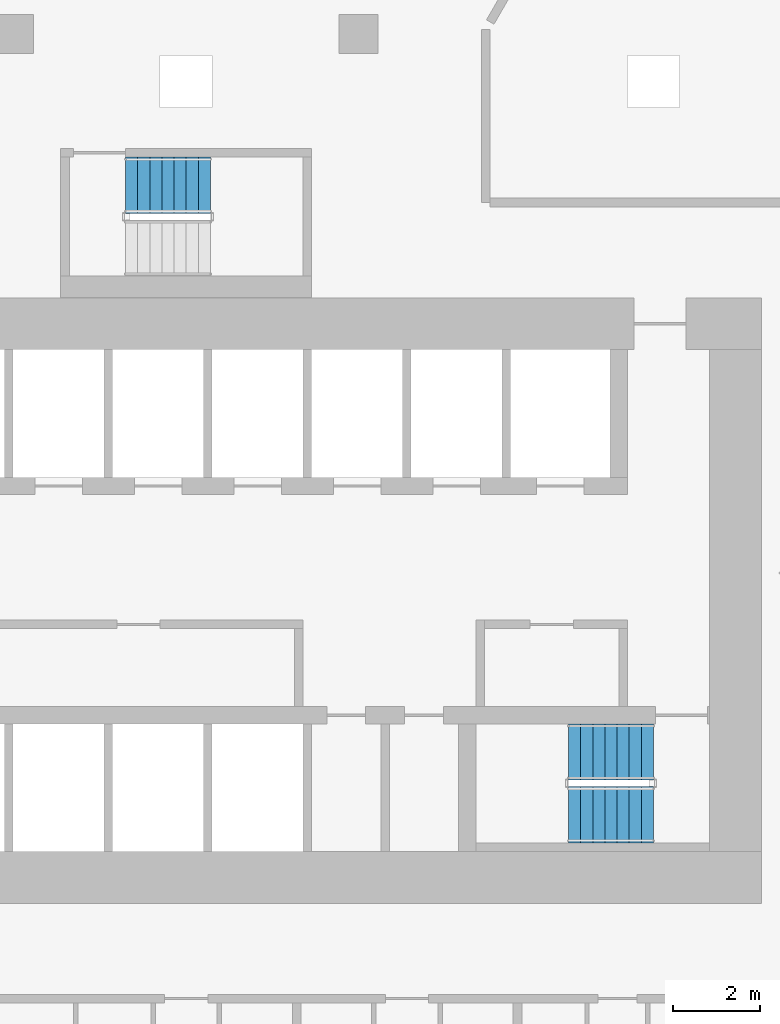
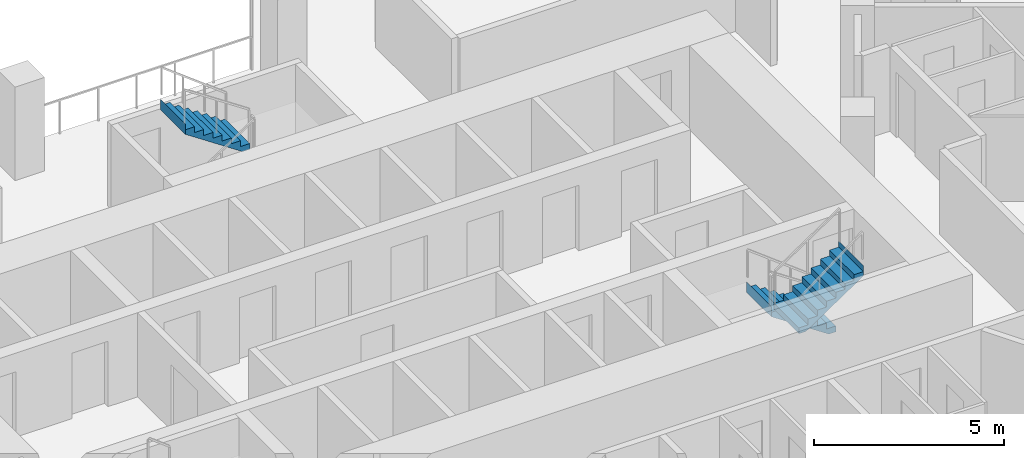
# One storey, part 17 of 21: 3 stair flights, 2 elements without a shape of their own.
"""IFC4 building model written with IfcOpenShell, lengths in metres."""

from ifc_helpers import new_model, si_unit, direction, frame, origin, place, context, subcontext, project, spatial, triangles, material, type_object, element, aggregate, save


model = new_model("IFC4")

# Units and contexts
model_context = context("Model", 3, precision=1e-05, world=origin(), true_north=direction((0.0, 1.0)))
body_context = subcontext(model_context, "Body", "Model", "MODEL_VIEW")
ifc_project = project(units=[si_unit("LENGTHUNIT", "METRE"), si_unit("AREAUNIT", "SQUARE_METRE"), si_unit("VOLUMEUNIT", "CUBIC_METRE"), si_unit("PLANEANGLEUNIT", "RADIAN"), si_unit("MASSUNIT", "GRAM", prefix="KILO")], contexts=[model_context])

# Site, building, storey
site_placement = place(None, origin())
site = spatial("IfcSite", under=ifc_project, at=site_placement, CompositionType="ELEMENT")
building_placement = place(site_placement, origin())
building = spatial("IfcBuilding", under=site, at=building_placement, Name="Beryl Residences", CompositionType="ELEMENT")
storey_placement = place(building_placement, frame((0.0, 0.0, 23.39990234375)))
storey = spatial("IfcBuildingStorey", under=building, at=storey_placement, Name="L06", CompositionType="ELEMENT", Elevation=23.39990234375)

# Stair, stair flights
ifc_material_1 = material(Name="Concrete C40/50", Category="concrete")
stair_type = type_object("IfcStairType", Name="ST1 protected exit stair, half-turn, 1300 mm flights", PredefinedType="HALF_TURN_STAIR", material=ifc_material_1)
stair_1_placement = place(storey_placement, origin())
stair_1 = element("IfcStair", 1, at=stair_1_placement, inside=storey, type_object=stair_type, Name="L06 PROTECTED EXIT STAIR ST-3", PredefinedType="HALF_TURN_STAIR")
ifc_material_2 = material(Name="Concrete C40/50", Category="concrete")
stair_flight_type = type_object("IfcStairFlightType", Name="SF1 stair flight 1300 mm", PredefinedType="STRAIGHT", material=ifc_material_2)
stair_flight_1_placement = place(storey_placement, frame((10.800048828125, -15.5, 0.0), z_axis=(0.0, 0.0, 1.0), x_axis=(-1.0, 0.0, 0.0)))
stair_flight_1 = element("IfcStairFlight", 2, at=stair_flight_1_placement, type_object=stair_flight_type, Name="ST-3 flight 1", NumberOfRisers=8, NumberOfTreads=7, PredefinedType="STRAIGHT", RiserHeight=0.1875, TreadLength=0.28, context=body_context, shape_type="Tessellation", body=[
    triangles([(0.0, -0.64990234375, 0.0), (0.0, -0.324951171875, 0.0), (0.0, 0.0, 0.0), (0.0, 0.324951171875, 0.0), (0.0, 0.64990234375, 0.0), (0.0, -0.64990234375, 0.1875), (0.0, -0.324951171875, 0.1875), (0.0, 0.0, 0.1875), (0.0, 0.324951171875, 0.1875), (0.0, 0.64990234375, 0.1875), (0.280029296875, -0.64990234375, 0.1875), (0.280029296875, -0.324951171875, 0.1875), (0.280029296875, 0.0, 0.1875), (0.280029296875, 0.324951171875, 0.1875), (0.280029296875, 0.64990234375, 0.1875), (0.280029296875, -0.64990234375, 0.375), (0.280029296875, -0.324951171875, 0.375), (0.280029296875, 0.0, 0.375), (0.280029296875, 0.324951171875, 0.375), (0.280029296875, 0.64990234375, 0.375), (0.56005859375, -0.64990234375, 0.375), (0.56005859375, -0.324951171875, 0.375), (0.56005859375, 0.0, 0.375), (0.56005859375, 0.324951171875, 0.375), (0.56005859375, 0.64990234375, 0.375), (0.56005859375, -0.64990234375, 0.5625), (0.56005859375, -0.324951171875, 0.5625), (0.56005859375, 0.0, 0.5625), (0.56005859375, 0.324951171875, 0.5625), (0.56005859375, 0.64990234375, 0.5625), (0.840087890625, -0.64990234375, 0.5625), (0.840087890625, -0.324951171875, 0.5625), (0.840087890625, 0.0, 0.5625), (0.840087890625, 0.324951171875, 0.5625), (0.840087890625, 0.64990234375, 0.5625), (0.840087890625, -0.64990234375, 0.75), (0.840087890625, -0.324951171875, 0.75), (0.840087890625, 0.0, 0.75), (0.840087890625, 0.324951171875, 0.75), (0.840087890625, 0.64990234375, 0.75), (1.1201171875, -0.64990234375, 0.75), (1.1201171875, -0.324951171875, 0.75), (1.1201171875, 0.0, 0.75), (1.1201171875, 0.324951171875, 0.75), (1.1201171875, 0.64990234375, 0.75), (1.1201171875, -0.64990234375, 0.9375), (1.1201171875, -0.324951171875, 0.9375), (1.1201171875, 0.0, 0.9375), (1.1201171875, 0.324951171875, 0.9375), (1.1201171875, 0.64990234375, 0.9375), (1.39990234375, -0.64990234375, 0.9375), (1.39990234375, -0.324951171875, 0.9375), (1.39990234375, 0.0, 0.9375), (1.39990234375, 0.324951171875, 0.9375), (1.39990234375, 0.64990234375, 0.9375), (1.39990234375, -0.64990234375, 1.125), (1.39990234375, -0.324951171875, 1.125), (1.39990234375, 0.0, 1.125), (1.39990234375, 0.324951171875, 1.125), (1.39990234375, 0.64990234375, 1.125), (1.679931640625, -0.64990234375, 1.125), (1.679931640625, -0.324951171875, 1.125), (1.679931640625, 0.0, 1.125), (1.679931640625, 0.324951171875, 1.125), (1.679931640625, 0.64990234375, 1.125), (1.679931640625, -0.64990234375, 1.3125), (1.679931640625, -0.324951171875, 1.3125), (1.679931640625, 0.0, 1.3125), (1.679931640625, 0.324951171875, 1.3125), (1.679931640625, 0.64990234375, 1.3125), (1.9599609375, -0.64990234375, 1.3125), (1.9599609375, -0.324951171875, 1.3125), (1.9599609375, 0.0, 1.3125), (1.9599609375, 0.324951171875, 1.3125), (1.9599609375, 0.64990234375, 1.3125), (1.9599609375, -0.64990234375, 1.5), (1.9599609375, -0.324951171875, 1.5), (1.9599609375, 0.0, 1.5), (1.9599609375, 0.324951171875, 1.5), (1.9599609375, 0.64990234375, 1.5), (1.9609375, -0.64990234375, 1.5), (1.9609375, -0.324951171875, 1.5), (1.9609375, 0.0, 1.5), (1.9609375, 0.324951171875, 1.5), (1.9609375, 0.64990234375, 1.5), (1.9609375, -0.64990234375, 1.16796875), (1.9609375, -0.324951171875, 1.16796875), (1.9609375, 0.0, 1.16796875), (1.9609375, 0.324951171875, 1.16796875), (1.9609375, 0.64990234375, 1.16796875), (0.216796875, -0.64990234375, 0.0), (0.216796875, -0.324951171875, 0.0), (0.216796875, 0.0, 0.0), (0.216796875, 0.324951171875, 0.0), (0.216796875, 0.64990234375, 0.0)], [[1, 6, 7], [1, 7, 2], [2, 7, 8], [2, 8, 3], [3, 8, 9], [3, 9, 4], [4, 9, 10], [4, 10, 5], [6, 11, 12], [6, 12, 7], [7, 12, 13], [7, 13, 8], [8, 13, 14], [8, 14, 9], [9, 14, 15], [9, 15, 10], [11, 16, 17], [11, 17, 12], [12, 17, 18], [12, 18, 13], [13, 18, 19], [13, 19, 14], [14, 19, 20], [14, 20, 15], [16, 21, 22], [16, 22, 17], [17, 22, 23], [17, 23, 18], [18, 23, 24], [18, 24, 19], [19, 24, 25], [19, 25, 20], [21, 26, 27], [21, 27, 22], [22, 27, 28], [22, 28, 23], [23, 28, 29], [23, 29, 24], [24, 29, 30], [24, 30, 25], [26, 31, 32], [26, 32, 27], [27, 32, 33], [27, 33, 28], [28, 33, 34], [28, 34, 29], [29, 34, 35], [29, 35, 30], [31, 36, 37], [31, 37, 32], [32, 37, 38], [32, 38, 33], [33, 38, 39], [33, 39, 34], [34, 39, 40], [34, 40, 35], [36, 41, 42], [36, 42, 37], [37, 42, 43], [37, 43, 38], [38, 43, 44], [38, 44, 39], [39, 44, 45], [39, 45, 40], [41, 46, 47], [41, 47, 42], [42, 47, 48], [42, 48, 43], [43, 48, 49], [43, 49, 44], [44, 49, 50], [44, 50, 45], [46, 51, 52], [46, 52, 47], [47, 52, 53], [47, 53, 48], [48, 53, 54], [48, 54, 49], [49, 54, 55], [49, 55, 50], [51, 56, 57], [51, 57, 52], [52, 57, 58], [52, 58, 53], [53, 58, 59], [53, 59, 54], [54, 59, 60], [54, 60, 55], [56, 61, 62], [56, 62, 57], [57, 62, 63], [57, 63, 58], [58, 63, 64], [58, 64, 59], [59, 64, 65], [59, 65, 60], [61, 66, 67], [61, 67, 62], [62, 67, 68], [62, 68, 63], [63, 68, 69], [63, 69, 64], [64, 69, 70], [64, 70, 65], [66, 71, 72], [66, 72, 67], [67, 72, 73], [67, 73, 68], [68, 73, 74], [68, 74, 69], [69, 74, 75], [69, 75, 70], [71, 76, 77], [71, 77, 72], [72, 77, 78], [72, 78, 73], [73, 78, 79], [73, 79, 74], [74, 79, 80], [74, 80, 75], [76, 81, 82], [76, 82, 77], [77, 82, 83], [77, 83, 78], [78, 83, 84], [78, 84, 79], [79, 84, 85], [79, 85, 80], [81, 86, 87], [81, 87, 82], [82, 87, 88], [82, 88, 83], [83, 88, 89], [83, 89, 84], [84, 89, 90], [84, 90, 85], [86, 91, 92], [86, 92, 87], [87, 92, 93], [87, 93, 88], [88, 93, 94], [88, 94, 89], [89, 94, 95], [89, 95, 90], [91, 1, 2], [91, 2, 92], [92, 2, 3], [92, 3, 93], [93, 3, 4], [93, 4, 94], [94, 4, 5], [94, 5, 95], [1, 91, 86], [5, 90, 95], [86, 81, 76], [90, 80, 85], [86, 76, 71], [90, 75, 80], [86, 71, 66], [90, 70, 75], [86, 66, 61], [90, 65, 70], [61, 56, 51], [65, 55, 60], [86, 61, 51], [90, 55, 65], [51, 46, 41], [55, 45, 50], [86, 51, 41], [90, 45, 55], [41, 36, 31], [45, 35, 40], [86, 41, 31], [90, 35, 45], [31, 26, 21], [35, 25, 30], [86, 31, 21], [90, 25, 35], [21, 16, 11], [25, 15, 20], [86, 21, 11], [90, 15, 25], [1, 86, 11], [5, 15, 90], [11, 6, 1], [15, 5, 10]], closed=True),
])
stair_flight_2_placement = place(storey_placement, frame((8.840087890625, -16.949951171875, 1.5), z_axis=(0.0, 0.0, 1.0), x_axis=(1.0, 0.0, 0.0)))
stair_flight_2 = element("IfcStairFlight", 3, at=stair_flight_2_placement, type_object=stair_flight_type, Name="ST-3 flight 2", NumberOfRisers=8, NumberOfTreads=7, PredefinedType="STRAIGHT", RiserHeight=0.1875, TreadLength=0.28, context=body_context, shape_type="Tessellation", body=[
    triangles([(0.0, -0.64990234375, 0.0), (0.0, -0.324951171875, 0.0), (0.0, 0.0, 0.0), (0.0, 0.324951171875, 0.0), (0.0, 0.64990234375, 0.0), (0.0, -0.64990234375, 0.1875), (0.0, -0.324951171875, 0.1875), (0.0, 0.0, 0.1875), (0.0, 0.324951171875, 0.1875), (0.0, 0.64990234375, 0.1875), (0.280029296875, -0.64990234375, 0.1875), (0.280029296875, -0.324951171875, 0.1875), (0.280029296875, 0.0, 0.1875), (0.280029296875, 0.324951171875, 0.1875), (0.280029296875, 0.64990234375, 0.1875), (0.280029296875, -0.64990234375, 0.375), (0.280029296875, -0.324951171875, 0.375), (0.280029296875, 0.0, 0.375), (0.280029296875, 0.324951171875, 0.375), (0.280029296875, 0.64990234375, 0.375), (0.56005859375, -0.64990234375, 0.375), (0.56005859375, -0.324951171875, 0.375), (0.56005859375, 0.0, 0.375), (0.56005859375, 0.324951171875, 0.375), (0.56005859375, 0.64990234375, 0.375), (0.56005859375, -0.64990234375, 0.5625), (0.56005859375, -0.324951171875, 0.5625), (0.56005859375, 0.0, 0.5625), (0.56005859375, 0.324951171875, 0.5625), (0.56005859375, 0.64990234375, 0.5625), (0.840087890625, -0.64990234375, 0.5625), (0.840087890625, -0.324951171875, 0.5625), (0.840087890625, 0.0, 0.5625), (0.840087890625, 0.324951171875, 0.5625), (0.840087890625, 0.64990234375, 0.5625), (0.840087890625, -0.64990234375, 0.75), (0.840087890625, -0.324951171875, 0.75), (0.840087890625, 0.0, 0.75), (0.840087890625, 0.324951171875, 0.75), (0.840087890625, 0.64990234375, 0.75), (1.1201171875, -0.64990234375, 0.75), (1.1201171875, -0.324951171875, 0.75), (1.1201171875, 0.0, 0.75), (1.1201171875, 0.324951171875, 0.75), (1.1201171875, 0.64990234375, 0.75), (1.1201171875, -0.64990234375, 0.9375), (1.1201171875, -0.324951171875, 0.9375), (1.1201171875, 0.0, 0.9375), (1.1201171875, 0.324951171875, 0.9375), (1.1201171875, 0.64990234375, 0.9375), (1.39990234375, -0.64990234375, 0.9375), (1.39990234375, -0.324951171875, 0.9375), (1.39990234375, 0.0, 0.9375), (1.39990234375, 0.324951171875, 0.9375), (1.39990234375, 0.64990234375, 0.9375), (1.39990234375, -0.64990234375, 1.125), (1.39990234375, -0.324951171875, 1.125), (1.39990234375, 0.0, 1.125), (1.39990234375, 0.324951171875, 1.125), (1.39990234375, 0.64990234375, 1.125), (1.679931640625, -0.64990234375, 1.125), (1.679931640625, -0.324951171875, 1.125), (1.679931640625, 0.0, 1.125), (1.679931640625, 0.324951171875, 1.125), (1.679931640625, 0.64990234375, 1.125), (1.679931640625, -0.64990234375, 1.3125), (1.679931640625, -0.324951171875, 1.3125), (1.679931640625, 0.0, 1.3125), (1.679931640625, 0.324951171875, 1.3125), (1.679931640625, 0.64990234375, 1.3125), (1.9599609375, -0.64990234375, 1.3125), (1.9599609375, -0.324951171875, 1.3125), (1.9599609375, 0.0, 1.3125), (1.9599609375, 0.324951171875, 1.3125), (1.9599609375, 0.64990234375, 1.3125), (1.9599609375, -0.64990234375, 1.5), (1.9599609375, -0.324951171875, 1.5), (1.9599609375, 0.0, 1.5), (1.9599609375, 0.324951171875, 1.5), (1.9599609375, 0.64990234375, 1.5), (1.9609375, -0.64990234375, 1.5), (1.9609375, -0.324951171875, 1.5), (1.9609375, 0.0, 1.5), (1.9609375, 0.324951171875, 1.5), (1.9609375, 0.64990234375, 1.5), (1.9609375, -0.64990234375, 1.16796875), (1.9609375, -0.324951171875, 1.16796875), (1.9609375, 0.0, 1.16796875), (1.9609375, 0.324951171875, 1.16796875), (1.9609375, 0.64990234375, 1.16796875), (0.216796875, -0.64990234375, 0.0), (0.216796875, -0.324951171875, 0.0), (0.216796875, 0.0, 0.0), (0.216796875, 0.324951171875, 0.0), (0.216796875, 0.64990234375, 0.0)], [[1, 6, 7], [1, 7, 2], [2, 7, 8], [2, 8, 3], [3, 8, 9], [3, 9, 4], [4, 9, 10], [4, 10, 5], [6, 11, 12], [6, 12, 7], [7, 12, 13], [7, 13, 8], [8, 13, 14], [8, 14, 9], [9, 14, 15], [9, 15, 10], [11, 16, 17], [11, 17, 12], [12, 17, 18], [12, 18, 13], [13, 18, 19], [13, 19, 14], [14, 19, 20], [14, 20, 15], [16, 21, 22], [16, 22, 17], [17, 22, 23], [17, 23, 18], [18, 23, 24], [18, 24, 19], [19, 24, 25], [19, 25, 20], [21, 26, 27], [21, 27, 22], [22, 27, 28], [22, 28, 23], [23, 28, 29], [23, 29, 24], [24, 29, 30], [24, 30, 25], [26, 31, 32], [26, 32, 27], [27, 32, 33], [27, 33, 28], [28, 33, 34], [28, 34, 29], [29, 34, 35], [29, 35, 30], [31, 36, 37], [31, 37, 32], [32, 37, 38], [32, 38, 33], [33, 38, 39], [33, 39, 34], [34, 39, 40], [34, 40, 35], [36, 41, 42], [36, 42, 37], [37, 42, 43], [37, 43, 38], [38, 43, 44], [38, 44, 39], [39, 44, 45], [39, 45, 40], [41, 46, 47], [41, 47, 42], [42, 47, 48], [42, 48, 43], [43, 48, 49], [43, 49, 44], [44, 49, 50], [44, 50, 45], [46, 51, 52], [46, 52, 47], [47, 52, 53], [47, 53, 48], [48, 53, 54], [48, 54, 49], [49, 54, 55], [49, 55, 50], [51, 56, 57], [51, 57, 52], [52, 57, 58], [52, 58, 53], [53, 58, 59], [53, 59, 54], [54, 59, 60], [54, 60, 55], [56, 61, 62], [56, 62, 57], [57, 62, 63], [57, 63, 58], [58, 63, 64], [58, 64, 59], [59, 64, 65], [59, 65, 60], [61, 66, 67], [61, 67, 62], [62, 67, 68], [62, 68, 63], [63, 68, 69], [63, 69, 64], [64, 69, 70], [64, 70, 65], [66, 71, 72], [66, 72, 67], [67, 72, 73], [67, 73, 68], [68, 73, 74], [68, 74, 69], [69, 74, 75], [69, 75, 70], [71, 76, 77], [71, 77, 72], [72, 77, 78], [72, 78, 73], [73, 78, 79], [73, 79, 74], [74, 79, 80], [74, 80, 75], [76, 81, 82], [76, 82, 77], [77, 82, 83], [77, 83, 78], [78, 83, 84], [78, 84, 79], [79, 84, 85], [79, 85, 80], [81, 86, 87], [81, 87, 82], [82, 87, 88], [82, 88, 83], [83, 88, 89], [83, 89, 84], [84, 89, 90], [84, 90, 85], [86, 91, 92], [86, 92, 87], [87, 92, 93], [87, 93, 88], [88, 93, 94], [88, 94, 89], [89, 94, 95], [89, 95, 90], [91, 1, 2], [91, 2, 92], [92, 2, 3], [92, 3, 93], [93, 3, 4], [93, 4, 94], [94, 4, 5], [94, 5, 95], [1, 91, 86], [5, 90, 95], [86, 81, 76], [90, 80, 85], [86, 76, 71], [90, 75, 80], [86, 71, 66], [90, 70, 75], [86, 66, 61], [90, 65, 70], [61, 56, 51], [65, 55, 60], [86, 61, 51], [90, 55, 65], [51, 46, 41], [55, 45, 50], [86, 51, 41], [90, 45, 55], [41, 36, 31], [45, 35, 40], [86, 41, 31], [90, 35, 45], [31, 26, 21], [35, 25, 30], [86, 31, 21], [90, 25, 35], [21, 16, 11], [25, 15, 20], [86, 21, 11], [90, 15, 25], [1, 86, 11], [5, 15, 90], [11, 6, 1], [15, 5, 10]], closed=True),
])
aggregate(stair_1, [stair_flight_1, stair_flight_2])

# Stair, stair flight
stair_2_placement = place(storey_placement, origin())
stair_2 = element("IfcStair", 4, at=stair_2_placement, inside=storey, type_object=stair_type, Name="L06 PROTECTED EXIT STAIR ST-4", PredefinedType="HALF_TURN_STAIR")
stair_flight_3_placement = place(storey_placement, frame((0.56005859375, -2.39990234375, 1.5), z_axis=(0.0, 0.0, 1.0), x_axis=(-1.0, 0.0, 0.0)))
stair_flight_3 = element("IfcStairFlight", 5, at=stair_flight_3_placement, type_object=stair_flight_type, Name="ST-4 flight 2", NumberOfRisers=8, NumberOfTreads=7, PredefinedType="STRAIGHT", RiserHeight=0.1875, TreadLength=0.28, context=body_context, shape_type="Tessellation", body=[
    triangles([(0.0, -0.64990234375, 0.0), (0.0, -0.324951171875, 0.0), (0.0, 0.0, 0.0), (0.0, 0.324951171875, 0.0), (0.0, 0.64990234375, 0.0), (0.0, -0.64990234375, 0.1875), (0.0, -0.324951171875, 0.1875), (0.0, 0.0, 0.1875), (0.0, 0.324951171875, 0.1875), (0.0, 0.64990234375, 0.1875), (0.280029296875, -0.64990234375, 0.1875), (0.280029296875, -0.324951171875, 0.1875), (0.280029296875, 0.0, 0.1875), (0.280029296875, 0.324951171875, 0.1875), (0.280029296875, 0.64990234375, 0.1875), (0.280029296875, -0.64990234375, 0.375), (0.280029296875, -0.324951171875, 0.375), (0.280029296875, 0.0, 0.375), (0.280029296875, 0.324951171875, 0.375), (0.280029296875, 0.64990234375, 0.375), (0.56005859375, -0.64990234375, 0.375), (0.56005859375, -0.324951171875, 0.375), (0.56005859375, 0.0, 0.375), (0.56005859375, 0.324951171875, 0.375), (0.56005859375, 0.64990234375, 0.375), (0.56005859375, -0.64990234375, 0.5625), (0.56005859375, -0.324951171875, 0.5625), (0.56005859375, 0.0, 0.5625), (0.56005859375, 0.324951171875, 0.5625), (0.56005859375, 0.64990234375, 0.5625), (0.840087890625, -0.64990234375, 0.5625), (0.840087890625, -0.324951171875, 0.5625), (0.840087890625, 0.0, 0.5625), (0.840087890625, 0.324951171875, 0.5625), (0.840087890625, 0.64990234375, 0.5625), (0.840087890625, -0.64990234375, 0.75), (0.840087890625, -0.324951171875, 0.75), (0.840087890625, 0.0, 0.75), (0.840087890625, 0.324951171875, 0.75), (0.840087890625, 0.64990234375, 0.75), (1.1201171875, -0.64990234375, 0.75), (1.1201171875, -0.324951171875, 0.75), (1.1201171875, 0.0, 0.75), (1.1201171875, 0.324951171875, 0.75), (1.1201171875, 0.64990234375, 0.75), (1.1201171875, -0.64990234375, 0.9375), (1.1201171875, -0.324951171875, 0.9375), (1.1201171875, 0.0, 0.9375), (1.1201171875, 0.324951171875, 0.9375), (1.1201171875, 0.64990234375, 0.9375), (1.39990234375, -0.64990234375, 0.9375), (1.39990234375, -0.324951171875, 0.9375), (1.39990234375, 0.0, 0.9375), (1.39990234375, 0.324951171875, 0.9375), (1.39990234375, 0.64990234375, 0.9375), (1.39990234375, -0.64990234375, 1.125), (1.39990234375, -0.324951171875, 1.125), (1.39990234375, 0.0, 1.125), (1.39990234375, 0.324951171875, 1.125), (1.39990234375, 0.64990234375, 1.125), (1.679931640625, -0.64990234375, 1.125), (1.679931640625, -0.324951171875, 1.125), (1.679931640625, 0.0, 1.125), (1.679931640625, 0.324951171875, 1.125), (1.679931640625, 0.64990234375, 1.125), (1.679931640625, -0.64990234375, 1.3125), (1.679931640625, -0.324951171875, 1.3125), (1.679931640625, 0.0, 1.3125), (1.679931640625, 0.324951171875, 1.3125), (1.679931640625, 0.64990234375, 1.3125), (1.9599609375, -0.64990234375, 1.3125), (1.9599609375, -0.324951171875, 1.3125), (1.9599609375, 0.0, 1.3125), (1.9599609375, 0.324951171875, 1.3125), (1.9599609375, 0.64990234375, 1.3125), (1.9599609375, -0.64990234375, 1.5), (1.9599609375, -0.324951171875, 1.5), (1.9599609375, 0.0, 1.5), (1.9599609375, 0.324951171875, 1.5), (1.9599609375, 0.64990234375, 1.5), (1.9609375, -0.64990234375, 1.5), (1.9609375, -0.324951171875, 1.5), (1.9609375, 0.0, 1.5), (1.9609375, 0.324951171875, 1.5), (1.9609375, 0.64990234375, 1.5), (1.9609375, -0.64990234375, 1.16796875), (1.9609375, -0.324951171875, 1.16796875), (1.9609375, 0.0, 1.16796875), (1.9609375, 0.324951171875, 1.16796875), (1.9609375, 0.64990234375, 1.16796875), (0.216796875, -0.64990234375, 0.0), (0.216796875, -0.324951171875, 0.0), (0.216796875, 0.0, 0.0), (0.216796875, 0.324951171875, 0.0), (0.216796875, 0.64990234375, 0.0)], [[1, 6, 7], [1, 7, 2], [2, 7, 8], [2, 8, 3], [3, 8, 9], [3, 9, 4], [4, 9, 10], [4, 10, 5], [6, 11, 12], [6, 12, 7], [7, 12, 13], [7, 13, 8], [8, 13, 14], [8, 14, 9], [9, 14, 15], [9, 15, 10], [11, 16, 17], [11, 17, 12], [12, 17, 18], [12, 18, 13], [13, 18, 19], [13, 19, 14], [14, 19, 20], [14, 20, 15], [16, 21, 22], [16, 22, 17], [17, 22, 23], [17, 23, 18], [18, 23, 24], [18, 24, 19], [19, 24, 25], [19, 25, 20], [21, 26, 27], [21, 27, 22], [22, 27, 28], [22, 28, 23], [23, 28, 29], [23, 29, 24], [24, 29, 30], [24, 30, 25], [26, 31, 32], [26, 32, 27], [27, 32, 33], [27, 33, 28], [28, 33, 34], [28, 34, 29], [29, 34, 35], [29, 35, 30], [31, 36, 37], [31, 37, 32], [32, 37, 38], [32, 38, 33], [33, 38, 39], [33, 39, 34], [34, 39, 40], [34, 40, 35], [36, 41, 42], [36, 42, 37], [37, 42, 43], [37, 43, 38], [38, 43, 44], [38, 44, 39], [39, 44, 45], [39, 45, 40], [41, 46, 47], [41, 47, 42], [42, 47, 48], [42, 48, 43], [43, 48, 49], [43, 49, 44], [44, 49, 50], [44, 50, 45], [46, 51, 52], [46, 52, 47], [47, 52, 53], [47, 53, 48], [48, 53, 54], [48, 54, 49], [49, 54, 55], [49, 55, 50], [51, 56, 57], [51, 57, 52], [52, 57, 58], [52, 58, 53], [53, 58, 59], [53, 59, 54], [54, 59, 60], [54, 60, 55], [56, 61, 62], [56, 62, 57], [57, 62, 63], [57, 63, 58], [58, 63, 64], [58, 64, 59], [59, 64, 65], [59, 65, 60], [61, 66, 67], [61, 67, 62], [62, 67, 68], [62, 68, 63], [63, 68, 69], [63, 69, 64], [64, 69, 70], [64, 70, 65], [66, 71, 72], [66, 72, 67], [67, 72, 73], [67, 73, 68], [68, 73, 74], [68, 74, 69], [69, 74, 75], [69, 75, 70], [71, 76, 77], [71, 77, 72], [72, 77, 78], [72, 78, 73], [73, 78, 79], [73, 79, 74], [74, 79, 80], [74, 80, 75], [76, 81, 82], [76, 82, 77], [77, 82, 83], [77, 83, 78], [78, 83, 84], [78, 84, 79], [79, 84, 85], [79, 85, 80], [81, 86, 87], [81, 87, 82], [82, 87, 88], [82, 88, 83], [83, 88, 89], [83, 89, 84], [84, 89, 90], [84, 90, 85], [86, 91, 92], [86, 92, 87], [87, 92, 93], [87, 93, 88], [88, 93, 94], [88, 94, 89], [89, 94, 95], [89, 95, 90], [91, 1, 2], [91, 2, 92], [92, 2, 3], [92, 3, 93], [93, 3, 4], [93, 4, 94], [94, 4, 5], [94, 5, 95], [1, 91, 86], [5, 90, 95], [86, 81, 76], [90, 80, 85], [86, 76, 71], [90, 75, 80], [86, 71, 66], [90, 70, 75], [86, 66, 61], [90, 65, 70], [61, 56, 51], [65, 55, 60], [86, 61, 51], [90, 55, 65], [51, 46, 41], [55, 45, 50], [86, 51, 41], [90, 45, 55], [41, 36, 31], [45, 35, 40], [86, 41, 31], [90, 35, 45], [31, 26, 21], [35, 25, 30], [86, 31, 21], [90, 25, 35], [21, 16, 11], [25, 15, 20], [86, 21, 11], [90, 15, 25], [1, 86, 11], [5, 15, 90], [11, 6, 1], [15, 5, 10]], closed=True),
])
aggregate(stair_2, [stair_flight_3])

save(model, "model.ifc")
